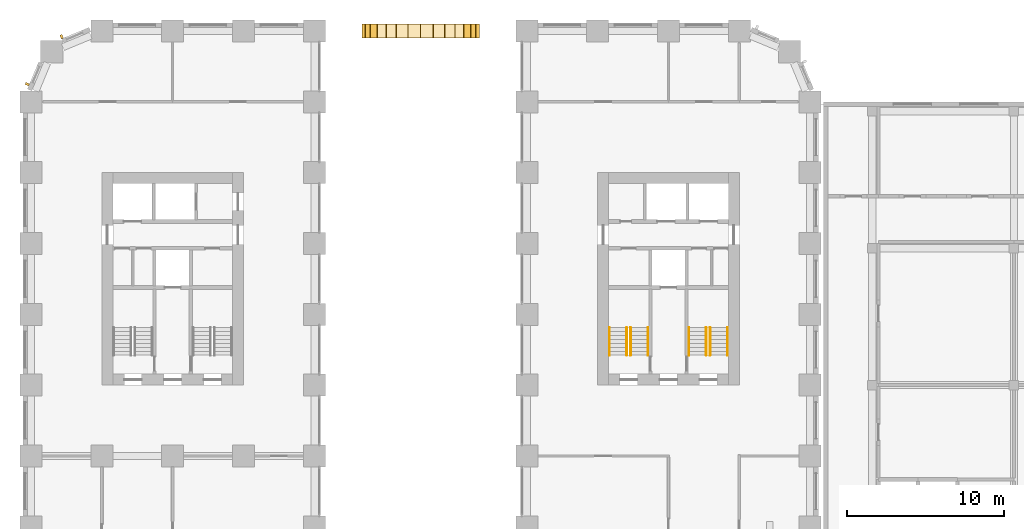
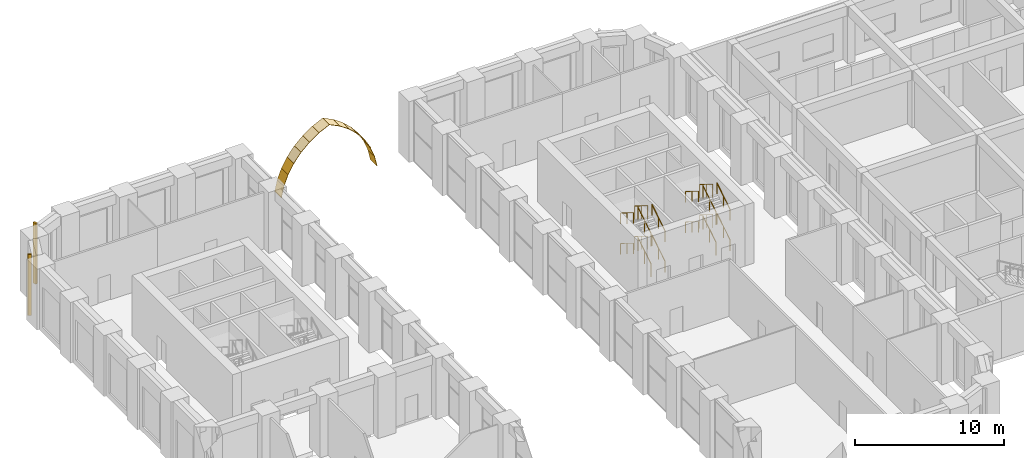
# One storey, part 20 of 24: 16 railings, 14 coverings, 2 shading devices.
"""IFC4 building model written with IfcOpenShell, lengths in metres."""

from ifc_helpers import new_model, si_unit, direction, frame, origin, origin_2d, place, context, subcontext, project, spatial, polyline, rectangle, circle, outline, extrude, material, layer, layer_set, type_object, element, save


model = new_model("IFC4")

# Units and contexts
model_context = context("Model", 3, precision=1e-05, world=origin(), true_north=direction((0.0, 1.0)))
body_context = subcontext(model_context, "Body", "Model", "MODEL_VIEW")
ifc_project = project(units=[si_unit("LENGTHUNIT", "METRE"), si_unit("AREAUNIT", "SQUARE_METRE"), si_unit("VOLUMEUNIT", "CUBIC_METRE"), si_unit("PLANEANGLEUNIT", "RADIAN"), si_unit("MASSUNIT", "GRAM", prefix="KILO")], contexts=[model_context])

# Site, building, storey
site_placement = place(None, origin())
site = spatial("IfcSite", under=ifc_project, at=site_placement, CompositionType="ELEMENT")
building_placement = place(site_placement, origin())
building = spatial("IfcBuilding", under=site, at=building_placement, Name="Girih Gate Residences", CompositionType="ELEMENT")
storey_placement = place(building_placement, frame((0.0, 0.0, 11.0)))
storey = spatial("IfcBuildingStorey", under=building, at=storey_placement, Name="L02", CompositionType="ELEMENT", Elevation=11.0)

# Shading devices
ifc_material_1 = material(Name="Precast concrete C50/60", Category="concrete")
shading_device_type = type_object("IfcShadingDeviceType", Name="Corner rib 150x250", PredefinedType="USERDEFINED", material=ifc_material_1)
for number, where, z_axis, x_axis, name in (
    (1, (1.9443359375, 49.14501953125, 0.0), (0.0, 0.0, 1.0), (-0.923879532511, -0.382683432365, 0.0), "Corner rib NW0045_0495.0"),
    (2, (-0.238037109375, 46.123779296875, 0.0), (0.0, 0.0, 1.0), (-0.382683432365, -0.923879532511, 0.0), "Corner rib NW0013_0482.0"),
):
    element("IfcShadingDevice", number, at=place(storey_placement, frame(where, z_axis=z_axis, x_axis=x_axis)), inside=storey, type_object=shading_device_type, Name=name, ObjectType="FIN", PredefinedType="USERDEFINED", context=body_context, shape_type="SweptSolid", body=[
        extrude(rectangle(XDim=0.14990234375, YDim=0.25, at=origin_2d()), origin(), (0.0, 0.0, 1.0), 5.0),
    ])

# Coverings
ifc_material_2 = material(Name="Glazed ceramic tile")
ifc_layer_1 = layer(ifc_material_2, 0.010009765625, Name="Tile")
ifc_material_3 = material(Name="Tile adhesive mortar")
ifc_layer_2 = layer(ifc_material_3, 0.02001953125, Name="Adhesive bed")
ifc_layer_set = layer_set([ifc_layer_1, ifc_layer_2], Name="Glazed tile lining 30")
covering_type = type_object("IfcCoveringType", Name="Glazed tile lining 30", PredefinedType="CLADDING", material=ifc_layer_set)
covering_1_placement = place(storey_placement, frame((21.016845703125, 49.050048828125, 0.39501953125), z_axis=(-0.975106122569, 0.0, 0.221738696957), x_axis=(0.221738696957, 0.0, 0.975106122569)))
element("IfcCovering", 3, at=covering_1_placement, inside=storey, type_object=covering_type, Name="Glazed tile lining N arch 2", PredefinedType="CLADDING", context=body_context, shape_type="SweptSolid", body=[
    extrude(outline(polyline([(0.0, 0.0), (0.8973382278583332, 0.0), (0.8973382278583332, 0.8999023437500002), (0.0, 0.8999023437500002), (0.0, 0.0)])), origin(), (0.0, 0.0, -1.0), 0.030029296875),
])
covering_2_placement = place(storey_placement, frame((21.2158203125, 49.050048828125, 1.27001953125), z_axis=(-0.931375196354, 0.0, 0.364060769127), x_axis=(0.364060769127, 0.0, 0.931375196354)))
element("IfcCovering", 4, at=covering_2_placement, inside=storey, type_object=covering_type, Name="Glazed tile lining N arch 3", PredefinedType="CLADDING", context=body_context, shape_type="SweptSolid", body=[
    extrude(outline(polyline([(0.0, 0.0), (0.897268214406789, 0.0), (0.897268214406789, 0.89990234375), (0.0, 0.89990234375), (0.0, 0.0)])), origin(), (0.0, 0.0, -1.0), 0.030029296875),
])
covering_3_placement = place(storey_placement, frame((21.54248046875, 49.050048828125, 2.105712890625), z_axis=(-0.866968011661, 0.0, 0.498363789571), x_axis=(0.498363789571, 0.0, 0.866968011661)))
element("IfcCovering", 5, at=covering_3_placement, inside=storey, type_object=covering_type, Name="Glazed tile lining N arch 4", PredefinedType="CLADDING", context=body_context, shape_type="SweptSolid", body=[
    extrude(outline(polyline([(0.0, 0.0), (0.8974681434715636, 0.0), (0.8974681434715636, 0.89990234375), (0.0, 0.89990234375), (0.0, 0.0)])), origin(), (0.0, 0.0, -1.0), 0.030029296875),
])
covering_4_placement = place(storey_placement, frame((21.98974609375, 49.050048828125, 2.8837890625), z_axis=(-0.783383501858, 0.0, 0.621538646439), x_axis=(0.621538646439, 0.0, 0.783383501858)))
element("IfcCovering", 6, at=covering_4_placement, inside=storey, type_object=covering_type, Name="Glazed tile lining N arch 5", PredefinedType="CLADDING", context=body_context, shape_type="SweptSolid", body=[
    extrude(outline(polyline([(0.0, 0.0), (0.897548899527145, 0.0), (0.897548899527145, 0.89990234375), (0.0, 0.89990234375), (0.0, 0.0)])), origin(), (0.0, 0.0, -1.0), 0.030029296875),
])
covering_5_placement = place(storey_placement, frame((22.547607421875, 49.050048828125, 3.5869140625), z_axis=(-0.682473361972, 0.0, 0.730910466609), x_axis=(0.730910466609, 0.0, 0.682473361972)))
element("IfcCovering", 7, at=covering_5_placement, inside=storey, type_object=covering_type, Name="Glazed tile lining N arch 6", PredefinedType="CLADDING", context=body_context, shape_type="SweptSolid", body=[
    extrude(outline(polyline([(0.0, 0.0), (0.8971847424652444, 0.0), (0.8971847424652444, 0.89990234375), (0.0, 0.89990234375), (0.0, 0.0)])), origin(), (0.0, 0.0, -1.0), 0.030029296875),
])
covering_6_placement = place(storey_placement, frame((23.203369140625, 49.050048828125, 4.19921875), z_axis=(-0.566136198288, 0.0, 0.824311715911), x_axis=(0.824311715911, 0.0, 0.566136198288)))
element("IfcCovering", 8, at=covering_6_placement, inside=storey, type_object=covering_type, Name="Glazed tile lining N arch 7", PredefinedType="CLADDING", context=body_context, shape_type="SweptSolid", body=[
    extrude(outline(polyline([(0.0, 0.0), (0.8974106269158753, 0.0), (0.8974106269158753, 0.89990234375), (0.0, 0.89990234375), (0.0, 0.0)])), origin(), (0.0, 0.0, -1.0), 0.030029296875),
])
for number, where, z_axis, x_axis, name in (
    (9, (23.943115234375, 49.050048828125, 4.707275390625), (-0.437721356536, 0.0, 0.899110679523), (0.899110679523, 0.0, 0.437721356536), "Glazed tile lining N arch 8"),
    (10, (24.75, 49.050048828125, 5.10009765625), (0.437721356536, 0.0, 0.899110679523), (0.899110679523, 0.0, -0.437721356536), "Glazed tile lining N arch 9"),
):
    element("IfcCovering", number, at=place(storey_placement, frame(where, z_axis=z_axis, x_axis=x_axis)), inside=storey, type_object=covering_type, Name=name, PredefinedType="CLADDING", context=body_context, shape_type="SweptSolid", body=[
        extrude(outline(polyline([(0.0, 0.0), (0.8974254049047582, 0.0), (0.8974254049047582, 0.89990234375), (0.0, 0.89990234375), (0.0, 0.0)])), origin(), (0.0, 0.0, -1.0), 0.030029296875),
    ])
covering_7_placement = place(storey_placement, frame((25.556884765625, 49.050048828125, 4.707275390625), z_axis=(0.566136198288, 0.0, 0.824311715911), x_axis=(0.824311715911, 0.0, -0.566136198288)))
element("IfcCovering", 11, at=covering_7_placement, inside=storey, type_object=covering_type, Name="Glazed tile lining N arch 10", PredefinedType="CLADDING", context=body_context, shape_type="SweptSolid", body=[
    extrude(outline(polyline([(0.0, 0.0), (0.8974106269158753, 0.0), (0.8974106269158753, 0.89990234375), (0.0, 0.89990234375), (0.0, 0.0)])), origin(), (0.0, 0.0, -1.0), 0.030029296875),
])
covering_8_placement = place(storey_placement, frame((26.296630859375, 49.050048828125, 4.19921875), z_axis=(0.682473361972, 0.0, 0.730910466609), x_axis=(0.730910466609, 0.0, -0.682473361972)))
element("IfcCovering", 12, at=covering_8_placement, inside=storey, type_object=covering_type, Name="Glazed tile lining N arch 11", PredefinedType="CLADDING", context=body_context, shape_type="SweptSolid", body=[
    extrude(outline(polyline([(0.0, 0.0), (0.8971847424652444, 0.0), (0.8971847424652444, 0.89990234375), (0.0, 0.89990234375), (0.0, 0.0)])), origin(), (0.0, 0.0, -1.0), 0.030029296875),
])
covering_9_placement = place(storey_placement, frame((26.952392578125, 49.050048828125, 3.5869140625), z_axis=(0.783383501858, 0.0, 0.621538646439), x_axis=(0.621538646439, 0.0, -0.783383501858)))
element("IfcCovering", 13, at=covering_9_placement, inside=storey, type_object=covering_type, Name="Glazed tile lining N arch 12", PredefinedType="CLADDING", context=body_context, shape_type="SweptSolid", body=[
    extrude(outline(polyline([(0.0, 0.0), (0.897548899527145, 0.0), (0.897548899527145, 0.89990234375), (0.0, 0.89990234375), (0.0, 0.0)])), origin(), (0.0, 0.0, -1.0), 0.030029296875),
])
covering_10_placement = place(storey_placement, frame((27.51025390625, 49.050048828125, 2.8837890625), z_axis=(0.866968011661, 0.0, 0.498363789571), x_axis=(0.498363789571, 0.0, -0.866968011661)))
element("IfcCovering", 14, at=covering_10_placement, inside=storey, type_object=covering_type, Name="Glazed tile lining N arch 13", PredefinedType="CLADDING", context=body_context, shape_type="SweptSolid", body=[
    extrude(outline(polyline([(0.0, 0.0), (0.8974681434715636, 0.0), (0.8974681434715636, 0.89990234375), (0.0, 0.89990234375), (0.0, 0.0)])), origin(), (0.0, 0.0, -1.0), 0.030029296875),
])
covering_11_placement = place(storey_placement, frame((27.95751953125, 49.050048828125, 2.105712890625), z_axis=(0.931375196354, 0.0, 0.364060769127), x_axis=(0.364060769127, 0.0, -0.931375196354)))
element("IfcCovering", 15, at=covering_11_placement, inside=storey, type_object=covering_type, Name="Glazed tile lining N arch 14", PredefinedType="CLADDING", context=body_context, shape_type="SweptSolid", body=[
    extrude(outline(polyline([(0.0, 0.0), (0.897268214406789, 0.0), (0.897268214406789, 0.89990234375), (0.0, 0.89990234375), (0.0, 0.0)])), origin(), (0.0, 0.0, -1.0), 0.030029296875),
])
covering_12_placement = place(storey_placement, frame((28.2841796875, 49.050048828125, 1.27001953125), z_axis=(0.975106122569, 0.0, 0.221738696957), x_axis=(0.221738696957, 0.0, -0.975106122569)))
element("IfcCovering", 16, at=covering_12_placement, inside=storey, type_object=covering_type, Name="Glazed tile lining N arch 15", PredefinedType="CLADDING", context=body_context, shape_type="SweptSolid", body=[
    extrude(outline(polyline([(0.0, 0.0), (0.8973382278583332, 0.0), (0.8973382278583332, 0.8999023437500002), (0.0, 0.8999023437500002), (0.0, 0.0)])), origin(), (0.0, 0.0, -1.0), 0.030029296875),
])

# Railings
ifc_material_4 = material(Name="Stainless steel", Category="steel")
railing_type_1 = type_object("IfcRailingType", Name="Stair guard 1100", PredefinedType="GUARDRAIL", material=ifc_material_4)
railing_1_placement = place(storey_placement, frame((43.14990234375, 28.89990234375, 0.15625)))
element("IfcRailing", 17, at=railing_1_placement, inside=storey, type_object=railing_type_1, Name="L02 ST-E1 stair guard 1", PredefinedType="GUARDRAIL", context=body_context, shape_type="SweptSolid", body=[
    extrude(circle(Radius=0.02392578125, at=origin_2d()), frame((0.0, 0.0, 1.076171875), z_axis=(0.0, 0.847998304005, 0.529998940003), x_axis=(-1.0, 0.0, 0.0)), (0.0, 0.0, 1.0), 2.063720703125),
    extrude(circle(Radius=0.02099609375, at=origin_2d()), origin(), (0.0, 0.0, 1.0), 1.052001953125),
    extrude(circle(Radius=0.02099609375, at=origin_2d()), frame((0.0, 0.875, 0.546875)), (0.0, 0.0, 1.0), 1.052001953125),
    extrude(circle(Radius=0.02099609375, at=origin_2d()), frame((0.0, 1.75, 1.09375)), (0.0, 0.0, 1.0), 1.052001953125),
])
railing_2_placement = place(storey_placement, frame((42.89990234375, 30.64990234375, 1.40625)))
element("IfcRailing", 18, at=railing_2_placement, inside=storey, type_object=railing_type_1, Name="L02 ST-E1 stair guard 2", PredefinedType="GUARDRAIL", context=body_context, shape_type="SweptSolid", body=[
    extrude(circle(Radius=0.02392578125, at=origin_2d()), frame((0.0, 0.0, 1.076171875), z_axis=(0.0, -0.847998304005, 0.529998940003), x_axis=(1.0, 0.0, 0.0)), (0.0, 0.0, 1.0), 2.063720703125),
    extrude(circle(Radius=0.02099609375, at=origin_2d()), origin(), (0.0, 0.0, 1.0), 1.052001953125),
    extrude(circle(Radius=0.02099609375, at=origin_2d()), frame((0.0, -0.875, 0.546875)), (0.0, 0.0, 1.0), 1.052001953125),
    extrude(circle(Radius=0.02099609375, at=origin_2d()), frame((0.0, -1.75, 1.09375)), (0.0, 0.0, 1.0), 1.052001953125),
])
railing_3_placement = place(storey_placement, frame((43.14990234375, 28.89990234375, 2.65625)))
element("IfcRailing", 19, at=railing_3_placement, inside=storey, type_object=railing_type_1, Name="L02 ST-E1 stair guard 3", PredefinedType="GUARDRAIL", context=body_context, shape_type="SweptSolid", body=[
    extrude(circle(Radius=0.02392578125, at=origin_2d()), frame((0.0, 0.0, 1.076171875), z_axis=(0.0, 0.847998304005, 0.529998940003), x_axis=(-1.0, 0.0, 0.0)), (0.0, 0.0, 1.0), 2.063720703125),
    extrude(circle(Radius=0.02099609375, at=origin_2d()), origin(), (0.0, 0.0, 1.0), 1.052001953125),
    extrude(circle(Radius=0.02099609375, at=origin_2d()), frame((0.0, 0.875, 0.546875)), (0.0, 0.0, 1.0), 1.052001953125),
    extrude(circle(Radius=0.02099609375, at=origin_2d()), frame((0.0, 1.75, 1.09375)), (0.0, 0.0, 1.0), 1.052001953125),
])
railing_4_placement = place(storey_placement, frame((42.89990234375, 30.64990234375, 3.90625)))
element("IfcRailing", 20, at=railing_4_placement, inside=storey, type_object=railing_type_1, Name="L02 ST-E1 stair guard 4", PredefinedType="GUARDRAIL", context=body_context, shape_type="SweptSolid", body=[
    extrude(circle(Radius=0.02392578125, at=origin_2d()), frame((0.0, 0.0, 1.076171875), z_axis=(0.0, -0.847998304005, 0.529998940003), x_axis=(1.0, 0.0, 0.0)), (0.0, 0.0, 1.0), 2.063720703125),
    extrude(circle(Radius=0.02099609375, at=origin_2d()), origin(), (0.0, 0.0, 1.0), 1.052001953125),
    extrude(circle(Radius=0.02099609375, at=origin_2d()), frame((0.0, -0.875, 0.546875)), (0.0, 0.0, 1.0), 1.052001953125),
    extrude(circle(Radius=0.02099609375, at=origin_2d()), frame((0.0, -1.75, 1.09375)), (0.0, 0.0, 1.0), 1.052001953125),
])
railing_5_placement = place(storey_placement, frame((38.10009765625, 28.89990234375, 0.15625)))
element("IfcRailing", 21, at=railing_5_placement, inside=storey, type_object=railing_type_1, Name="L02 ST-E2 stair guard 1", PredefinedType="GUARDRAIL", context=body_context, shape_type="SweptSolid", body=[
    extrude(circle(Radius=0.02392578125, at=origin_2d()), frame((0.0, 0.0, 1.076171875), z_axis=(0.0, 0.847998304005, 0.529998940003), x_axis=(-1.0, 0.0, 0.0)), (0.0, 0.0, 1.0), 2.063720703125),
    extrude(circle(Radius=0.02099609375, at=origin_2d()), origin(), (0.0, 0.0, 1.0), 1.052001953125),
    extrude(circle(Radius=0.02099609375, at=origin_2d()), frame((0.0, 0.875, 0.546875)), (0.0, 0.0, 1.0), 1.052001953125),
    extrude(circle(Radius=0.02099609375, at=origin_2d()), frame((0.0, 1.75, 1.09375)), (0.0, 0.0, 1.0), 1.052001953125),
])
railing_6_placement = place(storey_placement, frame((37.85009765625, 30.64990234375, 1.40625)))
element("IfcRailing", 22, at=railing_6_placement, inside=storey, type_object=railing_type_1, Name="L02 ST-E2 stair guard 2", PredefinedType="GUARDRAIL", context=body_context, shape_type="SweptSolid", body=[
    extrude(circle(Radius=0.02392578125, at=origin_2d()), frame((0.0, 0.0, 1.076171875), z_axis=(0.0, -0.847998304005, 0.529998940003), x_axis=(1.0, 0.0, 0.0)), (0.0, 0.0, 1.0), 2.063720703125),
    extrude(circle(Radius=0.02099609375, at=origin_2d()), origin(), (0.0, 0.0, 1.0), 1.052001953125),
    extrude(circle(Radius=0.02099609375, at=origin_2d()), frame((0.0, -0.875, 0.546875)), (0.0, 0.0, 1.0), 1.052001953125),
    extrude(circle(Radius=0.02099609375, at=origin_2d()), frame((0.0, -1.75, 1.09375)), (0.0, 0.0, 1.0), 1.052001953125),
])
railing_7_placement = place(storey_placement, frame((38.10009765625, 28.89990234375, 2.65625)))
element("IfcRailing", 23, at=railing_7_placement, inside=storey, type_object=railing_type_1, Name="L02 ST-E2 stair guard 3", PredefinedType="GUARDRAIL", context=body_context, shape_type="SweptSolid", body=[
    extrude(circle(Radius=0.02392578125, at=origin_2d()), frame((0.0, 0.0, 1.076171875), z_axis=(0.0, 0.847998304005, 0.529998940003), x_axis=(-1.0, 0.0, 0.0)), (0.0, 0.0, 1.0), 2.063720703125),
    extrude(circle(Radius=0.02099609375, at=origin_2d()), origin(), (0.0, 0.0, 1.0), 1.052001953125),
    extrude(circle(Radius=0.02099609375, at=origin_2d()), frame((0.0, 0.875, 0.546875)), (0.0, 0.0, 1.0), 1.052001953125),
    extrude(circle(Radius=0.02099609375, at=origin_2d()), frame((0.0, 1.75, 1.09375)), (0.0, 0.0, 1.0), 1.052001953125),
])
railing_8_placement = place(storey_placement, frame((37.85009765625, 30.64990234375, 3.90625)))
element("IfcRailing", 24, at=railing_8_placement, inside=storey, type_object=railing_type_1, Name="L02 ST-E2 stair guard 4", PredefinedType="GUARDRAIL", context=body_context, shape_type="SweptSolid", body=[
    extrude(circle(Radius=0.02392578125, at=origin_2d()), frame((0.0, 0.0, 1.076171875), z_axis=(0.0, -0.847998304005, 0.529998940003), x_axis=(1.0, 0.0, 0.0)), (0.0, 0.0, 1.0), 2.063720703125),
    extrude(circle(Radius=0.02099609375, at=origin_2d()), origin(), (0.0, 0.0, 1.0), 1.052001953125),
    extrude(circle(Radius=0.02099609375, at=origin_2d()), frame((0.0, -0.875, 0.546875)), (0.0, 0.0, 1.0), 1.052001953125),
    extrude(circle(Radius=0.02099609375, at=origin_2d()), frame((0.0, -1.75, 1.09375)), (0.0, 0.0, 1.0), 1.052001953125),
])
railing_type_2 = type_object("IfcRailingType", Name="Stair handrail 900", PredefinedType="HANDRAIL", material=ifc_material_4)
railing_9_placement = place(storey_placement, frame((44.25, 28.89990234375, 0.15625)))
element("IfcRailing", 25, at=railing_9_placement, inside=storey, type_object=railing_type_2, Name="L02 ST-E1 stair handrail 1", PredefinedType="HANDRAIL", context=body_context, shape_type="SweptSolid", body=[
    extrude(circle(Radius=0.02392578125, at=origin_2d()), frame((0.0, 0.0, 0.8857421875), z_axis=(0.0, 0.847998304005, 0.529998940003), x_axis=(-1.0, 0.0, 0.0)), (0.0, 0.0, 1.0), 2.063720703125),
    extrude(circle(Radius=0.02099609375, at=origin_2d()), origin(), (0.0, 0.0, 1.0), 0.86181640625),
    extrude(circle(Radius=0.02099609375, at=origin_2d()), frame((0.0, 0.875, 0.546875)), (0.0, 0.0, 1.0), 0.86181640625),
    extrude(circle(Radius=0.02099609375, at=origin_2d()), frame((0.0, 1.75, 1.09375)), (0.0, 0.0, 1.0), 0.86181640625),
])
railing_10_placement = place(storey_placement, frame((41.800048828125, 30.64990234375, 1.40625)))
element("IfcRailing", 26, at=railing_10_placement, inside=storey, type_object=railing_type_2, Name="L02 ST-E1 stair handrail 2", PredefinedType="HANDRAIL", context=body_context, shape_type="SweptSolid", body=[
    extrude(circle(Radius=0.02392578125, at=origin_2d()), frame((0.0, 0.0, 0.8857421875), z_axis=(0.0, -0.847998304005, 0.529998940003), x_axis=(1.0, 0.0, 0.0)), (0.0, 0.0, 1.0), 2.063720703125),
    extrude(circle(Radius=0.02099609375, at=origin_2d()), origin(), (0.0, 0.0, 1.0), 0.86181640625),
    extrude(circle(Radius=0.02099609375, at=origin_2d()), frame((0.0, -0.875, 0.546875)), (0.0, 0.0, 1.0), 0.86181640625),
    extrude(circle(Radius=0.02099609375, at=origin_2d()), frame((0.0, -1.75, 1.09375)), (0.0, 0.0, 1.0), 0.86181640625),
])
railing_11_placement = place(storey_placement, frame((44.25, 28.89990234375, 2.65625)))
element("IfcRailing", 27, at=railing_11_placement, inside=storey, type_object=railing_type_2, Name="L02 ST-E1 stair handrail 3", PredefinedType="HANDRAIL", context=body_context, shape_type="SweptSolid", body=[
    extrude(circle(Radius=0.02392578125, at=origin_2d()), frame((0.0, 0.0, 0.8857421875), z_axis=(0.0, 0.847998304005, 0.529998940003), x_axis=(-1.0, 0.0, 0.0)), (0.0, 0.0, 1.0), 2.063720703125),
    extrude(circle(Radius=0.02099609375, at=origin_2d()), origin(), (0.0, 0.0, 1.0), 0.86181640625),
    extrude(circle(Radius=0.02099609375, at=origin_2d()), frame((0.0, 0.875, 0.546875)), (0.0, 0.0, 1.0), 0.86181640625),
    extrude(circle(Radius=0.02099609375, at=origin_2d()), frame((0.0, 1.75, 1.09375)), (0.0, 0.0, 1.0), 0.86181640625),
])
railing_12_placement = place(storey_placement, frame((41.800048828125, 30.64990234375, 3.90625)))
element("IfcRailing", 28, at=railing_12_placement, inside=storey, type_object=railing_type_2, Name="L02 ST-E1 stair handrail 4", PredefinedType="HANDRAIL", context=body_context, shape_type="SweptSolid", body=[
    extrude(circle(Radius=0.02392578125, at=origin_2d()), frame((0.0, 0.0, 0.8857421875), z_axis=(0.0, -0.847998304005, 0.529998940003), x_axis=(1.0, 0.0, 0.0)), (0.0, 0.0, 1.0), 2.063720703125),
    extrude(circle(Radius=0.02099609375, at=origin_2d()), origin(), (0.0, 0.0, 1.0), 0.86181640625),
    extrude(circle(Radius=0.02099609375, at=origin_2d()), frame((0.0, -0.875, 0.546875)), (0.0, 0.0, 1.0), 0.86181640625),
    extrude(circle(Radius=0.02099609375, at=origin_2d()), frame((0.0, -1.75, 1.09375)), (0.0, 0.0, 1.0), 0.86181640625),
])
railing_13_placement = place(storey_placement, frame((39.199951171875, 28.89990234375, 0.15625)))
element("IfcRailing", 29, at=railing_13_placement, inside=storey, type_object=railing_type_2, Name="L02 ST-E2 stair handrail 1", PredefinedType="HANDRAIL", context=body_context, shape_type="SweptSolid", body=[
    extrude(circle(Radius=0.02392578125, at=origin_2d()), frame((0.0, 0.0, 0.8857421875), z_axis=(0.0, 0.847998304005, 0.529998940003), x_axis=(-1.0, 0.0, 0.0)), (0.0, 0.0, 1.0), 2.063720703125),
    extrude(circle(Radius=0.02099609375, at=origin_2d()), origin(), (0.0, 0.0, 1.0), 0.86181640625),
    extrude(circle(Radius=0.02099609375, at=origin_2d()), frame((0.0, 0.875, 0.546875)), (0.0, 0.0, 1.0), 0.86181640625),
    extrude(circle(Radius=0.02099609375, at=origin_2d()), frame((0.0, 1.75, 1.09375)), (0.0, 0.0, 1.0), 0.86181640625),
])
railing_14_placement = place(storey_placement, frame((36.75, 30.64990234375, 1.40625)))
element("IfcRailing", 30, at=railing_14_placement, inside=storey, type_object=railing_type_2, Name="L02 ST-E2 stair handrail 2", PredefinedType="HANDRAIL", context=body_context, shape_type="SweptSolid", body=[
    extrude(circle(Radius=0.02392578125, at=origin_2d()), frame((0.0, 0.0, 0.8857421875), z_axis=(0.0, -0.847998304005, 0.529998940003), x_axis=(1.0, 0.0, 0.0)), (0.0, 0.0, 1.0), 2.063720703125),
    extrude(circle(Radius=0.02099609375, at=origin_2d()), origin(), (0.0, 0.0, 1.0), 0.86181640625),
    extrude(circle(Radius=0.02099609375, at=origin_2d()), frame((0.0, -0.875, 0.546875)), (0.0, 0.0, 1.0), 0.86181640625),
    extrude(circle(Radius=0.02099609375, at=origin_2d()), frame((0.0, -1.75, 1.09375)), (0.0, 0.0, 1.0), 0.86181640625),
])
railing_15_placement = place(storey_placement, frame((39.199951171875, 28.89990234375, 2.65625)))
element("IfcRailing", 31, at=railing_15_placement, inside=storey, type_object=railing_type_2, Name="L02 ST-E2 stair handrail 3", PredefinedType="HANDRAIL", context=body_context, shape_type="SweptSolid", body=[
    extrude(circle(Radius=0.02392578125, at=origin_2d()), frame((0.0, 0.0, 0.8857421875), z_axis=(0.0, 0.847998304005, 0.529998940003), x_axis=(-1.0, 0.0, 0.0)), (0.0, 0.0, 1.0), 2.063720703125),
    extrude(circle(Radius=0.02099609375, at=origin_2d()), origin(), (0.0, 0.0, 1.0), 0.86181640625),
    extrude(circle(Radius=0.02099609375, at=origin_2d()), frame((0.0, 0.875, 0.546875)), (0.0, 0.0, 1.0), 0.86181640625),
    extrude(circle(Radius=0.02099609375, at=origin_2d()), frame((0.0, 1.75, 1.09375)), (0.0, 0.0, 1.0), 0.86181640625),
])
railing_16_placement = place(storey_placement, frame((36.75, 30.64990234375, 3.90625)))
element("IfcRailing", 32, at=railing_16_placement, inside=storey, type_object=railing_type_2, Name="L02 ST-E2 stair handrail 4", PredefinedType="HANDRAIL", context=body_context, shape_type="SweptSolid", body=[
    extrude(circle(Radius=0.02392578125, at=origin_2d()), frame((0.0, 0.0, 0.8857421875), z_axis=(0.0, -0.847998304005, 0.529998940003), x_axis=(1.0, 0.0, 0.0)), (0.0, 0.0, 1.0), 2.063720703125),
    extrude(circle(Radius=0.02099609375, at=origin_2d()), origin(), (0.0, 0.0, 1.0), 0.86181640625),
    extrude(circle(Radius=0.02099609375, at=origin_2d()), frame((0.0, -0.875, 0.546875)), (0.0, 0.0, 1.0), 0.86181640625),
    extrude(circle(Radius=0.02099609375, at=origin_2d()), frame((0.0, -1.75, 1.09375)), (0.0, 0.0, 1.0), 0.86181640625),
])

save(model, "model.ifc")
